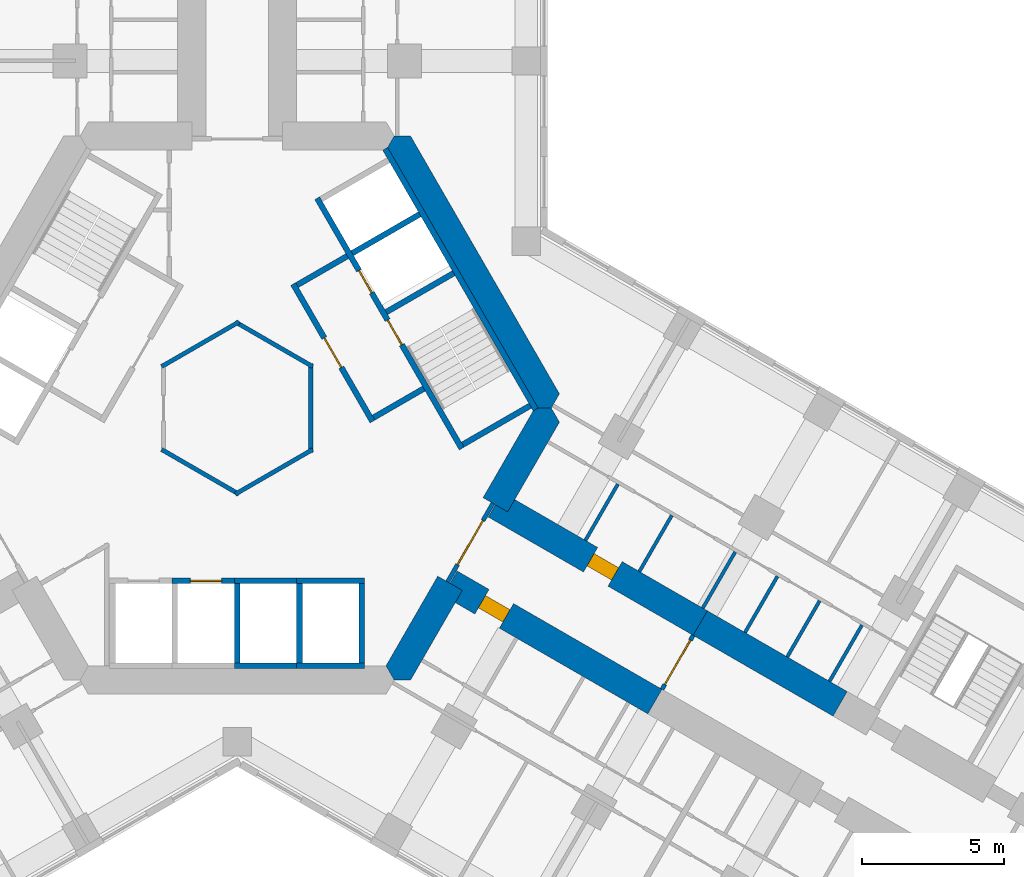
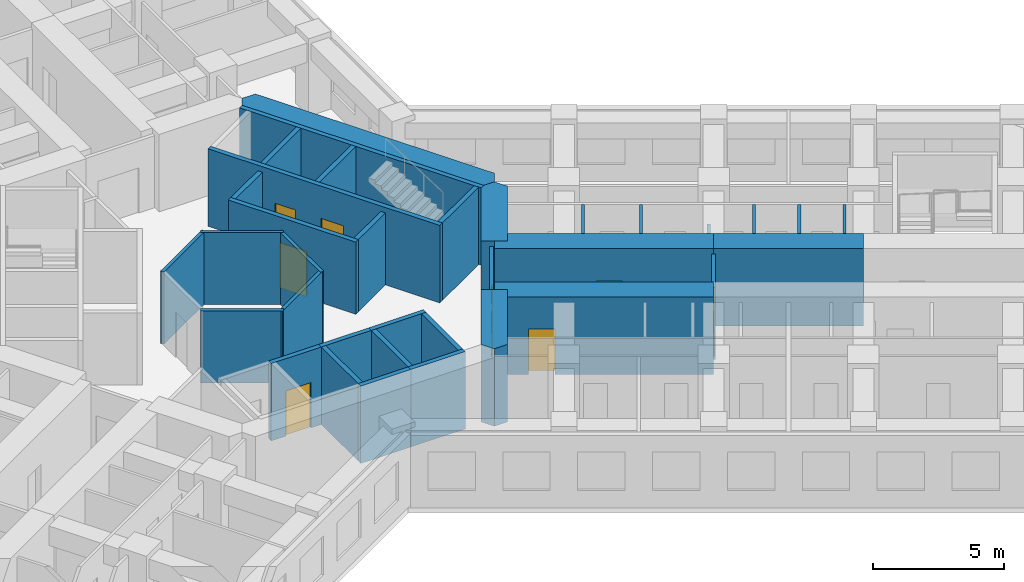
# One storey, part 15 of 21: 35 walls, 8 doors, 8 openings.
"""IFC4 building model written with IfcOpenShell, lengths in metres."""

from ifc_helpers import new_model, si_unit, direction, frame, frame_2d, origin, place, context, subcontext, project, spatial, polyline, rectangle, outline, extrude, material, layer, layer_set, type_object, element, fill, save


model = new_model("IFC4")

# Units and contexts
model_context = context("Model", 3, precision=1e-05, world=origin(), true_north=direction((0.0, 1.0)))
body_context = subcontext(model_context, "Body", "Model", "MODEL_VIEW")
ifc_project = project(units=[si_unit("LENGTHUNIT", "METRE"), si_unit("AREAUNIT", "SQUARE_METRE"), si_unit("VOLUMEUNIT", "CUBIC_METRE"), si_unit("PLANEANGLEUNIT", "RADIAN"), si_unit("MASSUNIT", "GRAM", prefix="KILO")], contexts=[model_context])

# Site, building, storey
site_placement = place(None, origin())
site = spatial("IfcSite", under=ifc_project, at=site_placement, CompositionType="ELEMENT")
building_placement = place(site_placement, origin())
building = spatial("IfcBuilding", under=site, at=building_placement, Name="Kosmar Iwan School Tower", CompositionType="ELEMENT")
storey_placement = place(building_placement, frame((0.0, 0.0, 53.800048828125)))
storey = spatial("IfcBuildingStorey", under=building, at=storey_placement, Name="L12", CompositionType="ELEMENT", Elevation=53.800048828125)

# Walls
ifc_material_1 = material(Name="Gypsum board on steel studs, fire-rated", Category="steel")
ifc_layer_1 = layer(ifc_material_1, 0.14990234375)
ifc_layer_set_1 = layer_set([ifc_layer_1], Name="Core room partition 150")
wall_type_1 = type_object("IfcWallType", Name="Core room partition 150", PredefinedType="PARTITIONING", material=ifc_layer_set_1)
for number, where, z_axis, x_axis, name in (
    (1, (2.6650390625, -1.463623046875, 0.0), (0.0, 0.0, 1.0), (-0.866023080072, -0.500004024767, 0.0), "Core room partition L12-CW4"),
    (2, (0.06494140625, -3.039794921875, 0.0), (0.0, 0.0, 1.0), (-0.866023080072, 0.500004024767, 0.0), "Core room partition L12-CW5"),
    (3, (-2.6650390625, 1.463623046875, 0.0), (0.0, 0.0, 1.0), (0.866023080072, 0.500004024767, 0.0), "Core room partition L12-CW7"),
    (4, (-0.06494140625, 3.039794921875, 0.0), (0.0, 0.0, 1.0), (0.866023080072, -0.500004024767, 0.0), "Core room partition L12-CW8"),
    (5, (2.60009765625, 1.576171875, 0.0), (0.0, 0.0, 1.0), (0.0, -1.0, 0.0), "Core room partition L12-CW9"),
):
    element("IfcWall", number, at=place(storey_placement, frame(where, z_axis=z_axis, x_axis=x_axis)), inside=storey, type_object=wall_type_1, Name=name, PredefinedType="PARTITIONING", context=body_context, shape_type="SweptSolid", body=[
        extrude(rectangle(XDim=3.15234375, YDim=0.14990234375, at=frame_2d((1.576171875, 0.0))), origin(), (0.0, 0.0, 1.0), 3.349853515625),
    ])
ifc_material_2 = material(Name="Concrete C50/60", Category="concrete")
ifc_layer_2 = layer(ifc_material_2, 1.0)
ifc_layer_set_2 = layer_set([ifc_layer_2], Name="Core wall 1000")
wall_type_2 = type_object("IfcWallType", Name="Core wall 1000", PredefinedType="SHEAR", material=ifc_layer_set_2)
wall_1_placement = place(storey_placement, origin())
element("IfcWall", 6, at=wall_1_placement, inside=storey, type_object=wall_type_2, Name="Core wall F030", PredefinedType="SHEAR", context=body_context, shape_type="SweptSolid", body=[
    extrude(outline(polyline([(10.5078125, 0.0), (11.085205078125, 0.0), (11.373779296875, 0.5), (6.119873046875, 9.60009765625), (5.54248046875, 9.60009765625), (5.25390625, 9.10009765625), (10.5078125, 0.0)])), origin(), (0.0, 0.0, 1.0), 3.599853515625),
])
wall_2_placement = place(storey_placement, origin())
element("IfcWall", 7, at=wall_2_placement, inside=storey, type_object=wall_type_2, Name="Core wall F330a", PredefinedType="SHEAR", context=body_context, shape_type="SweptSolid", body=[
    extrude(outline(polyline([(5.54248046875, -9.60009765625), (6.119873046875, -9.60009765625), (7.94677734375, -6.435546875), (7.080810546875, -5.935546875), (5.25390625, -9.10009765625), (5.54248046875, -9.60009765625)])), origin(), (0.0, 0.0, 1.0), 3.599853515625),
])
wall_3_placement = place(storey_placement, origin())
element("IfcWall", 8, at=wall_3_placement, inside=storey, type_object=wall_type_2, Name="Core wall F330b", PredefinedType="SHEAR", context=body_context, shape_type="SweptSolid", body=[
    extrude(outline(polyline([(9.546875, -3.664306640625), (11.373779296875, -0.5), (11.085205078125, 0.0), (10.5078125, 0.0), (8.680908203125, -3.164306640625), (9.546875, -3.664306640625)])), origin(), (0.0, 0.0, 1.0), 3.599853515625),
])

# Wall, opening, door
ifc_material_3 = material(Name="Concrete C50/60", Category="concrete")
ifc_layer_3 = layer(ifc_material_3, 1.0)
ifc_layer_set_3 = layer_set([ifc_layer_3], Name="Corridor buttress wall 1000")
wall_type_3 = type_object("IfcWallType", Name="Corridor buttress wall 1000", PredefinedType="SHEAR", material=ifc_layer_set_3)
wall_4_placement = place(storey_placement, frame((9.11376953125, -3.414306640625, 0.0), z_axis=(0.0, 0.0, 1.0), x_axis=(0.866026859388, -0.499997478812, 0.0)))
wall_4 = element("IfcWall", 9, at=wall_4_placement, inside=storey, type_object=wall_type_3, Name="Corridor wall CL", PredefinedType="SHEAR", context=body_context, shape_type="SweptSolid", body=[
    extrude(rectangle(XDim=8.35009765625, YDim=1.0, at=frame_2d((4.175048828125, 0.0))), origin(), (0.0, 0.0, 1.0), 3.599853515625),
])
opening_1_placement = place(wall_4_placement, frame((3.8798828125, 0.0, 0.0)))
opening_1 = element("IfcOpeningElement", 10, at=opening_1_placement, cuts=wall_4, Name="Opening D1", PredefinedType="OPENING", context=body_context, shape_type="SweptSolid", body=[
    extrude(rectangle(XDim=1.0, YDim=2.10009765625, at=frame_2d((0.5, 1.050048828125))), frame((0.0, 0.511962890625, 0.0), z_axis=(0.0, -1.0, 0.0), x_axis=(1.0, 0.0, 0.0)), (0.0, 0.0, 1.0), 1.02392578125),
])
ifc_material_4 = material(Name="Timber fire door in steel frame", Category="steel")
door_type_1 = type_object("IfcDoorType", Name="Flat entrance door 1000x2100", OperationType="SINGLE_SWING_LEFT", PredefinedType="DOOR", material=ifc_material_4)
door_1_placement = place(opening_1_placement, origin())
door_1 = element("IfcDoor", 11, at=door_1_placement, inside=storey, type_object=door_type_1, Name="Flat L12-CL1 entrance door", OperationType="SINGLE_SWING_LEFT", OverallHeight=2.10009765625, OverallWidth=1.0, PredefinedType="DOOR", context=body_context, shape_type="SweptSolid", body=[
    extrude(rectangle(XDim=1.0, YDim=2.10009765625, at=frame_2d((0.5, 1.050048828125))), frame((0.0, 0.25, 0.0), z_axis=(0.0, -1.0, 0.0), x_axis=(1.0, 0.0, 0.0)), (0.0, 0.0, 1.0), 0.5),
])
fill(opening_1, door_1)

# Wall
wall_5_placement = place(storey_placement, frame((16.34521484375, -7.58935546875, 0.0), z_axis=(0.0, 0.0, 1.0), x_axis=(0.866015111908, -0.50001782563, 0.0)))
element("IfcWall", 12, at=wall_5_placement, inside=storey, type_object=wall_type_3, Name="Corridor wall CL bay 2", PredefinedType="SHEAR", context=body_context, shape_type="SweptSolid", body=[
    extrude(rectangle(XDim=5.699951171875, YDim=1.0, at=frame_2d((2.85009765625, 0.0))), origin(), (0.0, 0.0, 1.0), 3.599853515625),
])

# Wall, opening, door
wall_6_placement = place(storey_placement, frame((7.513916015625, -6.185546875, 0.0), z_axis=(0.0, 0.0, 1.0), x_axis=(0.866019549707, -0.500010139422, 0.0)))
wall_6 = element("IfcWall", 13, at=wall_6_placement, inside=storey, type_object=wall_type_3, Name="Corridor wall CR", PredefinedType="SHEAR", context=body_context, shape_type="SweptSolid", body=[
    extrude(rectangle(XDim=8.349853515625, YDim=1.0, at=frame_2d((4.1748046875, 0.0))), origin(), (0.0, 0.0, 1.0), 3.599853515625),
])
opening_2_placement = place(wall_6_placement, frame((1.300048828125, 0.0, 0.0)))
opening_2 = element("IfcOpeningElement", 14, at=opening_2_placement, cuts=wall_6, Name="Opening D1", PredefinedType="OPENING", context=body_context, shape_type="SweptSolid", body=[
    extrude(rectangle(XDim=1.0, YDim=2.10009765625, at=frame_2d((0.5, 1.050048828125))), frame((0.0, 0.511962890625, 0.0), z_axis=(0.0, -1.0, 0.0), x_axis=(1.0, 0.0, 0.0)), (0.0, 0.0, 1.0), 1.02392578125),
])
door_2_placement = place(opening_2_placement, origin())
door_2 = element("IfcDoor", 15, at=door_2_placement, inside=storey, type_object=door_type_1, Name="Flat L12-CR1 entrance door", OperationType="SINGLE_SWING_LEFT", OverallHeight=2.10009765625, OverallWidth=1.0, PredefinedType="DOOR", context=body_context, shape_type="SweptSolid", body=[
    extrude(rectangle(XDim=1.0, YDim=2.10009765625, at=frame_2d((0.5, 1.050048828125))), frame((0.0, 0.25, 0.0), z_axis=(0.0, -1.0, 0.0), x_axis=(1.0, 0.0, 0.0)), (0.0, 0.0, 1.0), 0.5),
])
fill(opening_2, door_2)

ifc_material_5 = material(Name="Gypsum board on steel studs, fire-rated", Category="steel")
ifc_layer_4 = layer(ifc_material_5, 0.14990234375)
ifc_layer_set_4 = layer_set([ifc_layer_4], Name="Corridor end wall 150")
wall_type_4 = type_object("IfcWallType", Name="Corridor end wall 150", PredefinedType="PARTITIONING", material=ifc_layer_set_4)
wall_7_placement = place(storey_placement, frame((14.9951171875, -9.927734375, 0.0), z_axis=(0.0, 0.0, 1.0), x_axis=(0.50002983664, 0.866008176907, 0.0)))
wall_7 = element("IfcWall", 16, at=wall_7_placement, inside=storey, type_object=wall_type_4, Name="Partition L12-C-HW", PredefinedType="PARTITIONING", context=body_context, shape_type="SweptSolid", body=[
    extrude(rectangle(XDim=2.199951171875, YDim=0.14990234375, at=frame_2d((1.10009765625, 0.0))), origin(), (0.0, 0.0, 1.0), 3.349853515625),
])
opening_3_placement = place(wall_7_placement, frame((0.199951171875, 0.0, 0.0)))
opening_3 = element("IfcOpeningElement", 17, at=opening_3_placement, cuts=wall_7, Name="Opening D9", PredefinedType="OPENING", context=body_context, shape_type="SweptSolid", body=[
    extrude(rectangle(XDim=1.800048828125, YDim=2.10009765625, at=frame_2d((0.89990234375, 1.050048828125))), frame((0.0, 0.0869140625, 0.0), z_axis=(0.0, -1.0, 0.0), x_axis=(1.0, 0.0, 0.0)), (0.0, 0.0, 1.0), 0.173828125),
])
ifc_material_6 = material(Name="Steel framed glazed smoke door", Category="steel")
door_type_2 = type_object("IfcDoorType", Name="Corridor smoke door pair 1800x2100", OperationType="DOUBLE_DOOR_DOUBLE_SWING", PredefinedType="DOOR", material=ifc_material_6)
door_3_placement = place(opening_3_placement, origin())
door_3 = element("IfcDoor", 18, at=door_3_placement, inside=storey, type_object=door_type_2, Name="Entrance vestibule smoke doors L12-C", OperationType="DOUBLE_DOOR_DOUBLE_SWING", OverallHeight=2.10009765625, OverallWidth=1.800048828125, PredefinedType="DOOR", context=body_context, shape_type="SweptSolid", body=[
    extrude(rectangle(XDim=1.800048828125, YDim=2.10009765625, at=frame_2d((0.89990234375, 1.050048828125))), frame((0.0, 0.02490234375, 0.0), z_axis=(0.0, -1.0, 0.0), x_axis=(1.0, 0.0, 0.0)), (0.0, 0.0, 1.0), 0.050048828125),
])
fill(opening_3, door_3)

ifc_material_7 = material(Name="Steel framed glazed screen", Category="steel")
ifc_layer_5 = layer(ifc_material_7, 0.14990234375)
ifc_layer_set_5 = layer_set([ifc_layer_5], Name="Corridor screen wall 150")
wall_type_5 = type_object("IfcWallType", Name="Corridor screen wall 150", PredefinedType="PARTITIONING", material=ifc_layer_set_5)
wall_8_placement = place(storey_placement, frame((7.42724609375, -6.1357421875, 0.0), z_axis=(0.0, 0.0, 1.0), x_axis=(0.499995408039, 0.866028054938, 0.0)))
wall_8 = element("IfcWall", 19, at=wall_8_placement, inside=storey, type_object=wall_type_5, Name="Corridor screen C L12", PredefinedType="PARTITIONING", context=body_context, shape_type="SweptSolid", body=[
    extrude(rectangle(XDim=3.2001953125, YDim=0.14990234375, at=frame_2d((1.60009765625, 0.0))), origin(), (0.0, 0.0, 1.0), 3.349853515625),
])
opening_4_placement = place(wall_8_placement, frame((0.699951171875, 0.0, 0.0)))
opening_4 = element("IfcOpeningElement", 20, at=opening_4_placement, cuts=wall_8, Name="Opening D9", PredefinedType="OPENING", context=body_context, shape_type="SweptSolid", body=[
    extrude(rectangle(XDim=1.800048828125, YDim=2.10009765625, at=frame_2d((0.89990234375, 1.050048828125))), frame((0.0, 0.0869140625, 0.0), z_axis=(0.0, -1.0, 0.0), x_axis=(1.0, 0.0, 0.0)), (0.0, 0.0, 1.0), 0.173828125),
])
door_4_placement = place(opening_4_placement, origin())
door_4 = element("IfcDoor", 21, at=door_4_placement, inside=storey, type_object=door_type_2, Name="Corridor doors C L12", OperationType="DOUBLE_DOOR_DOUBLE_SWING", OverallHeight=2.10009765625, OverallWidth=1.800048828125, PredefinedType="DOOR", context=body_context, shape_type="SweptSolid", body=[
    extrude(rectangle(XDim=1.800048828125, YDim=2.10009765625, at=frame_2d((0.89990234375, 1.050048828125))), frame((0.0, 0.02490234375, 0.0), z_axis=(0.0, -1.0, 0.0), x_axis=(1.0, 0.0, 0.0)), (0.0, 0.0, 1.0), 0.050048828125),
])
fill(opening_4, door_4)

# Walls
ifc_material_8 = material(Name="Gypsum board on steel studs", Category="steel")
ifc_layer_6 = layer(ifc_material_8, 0.1201171875)
ifc_layer_set_6 = layer_set([ifc_layer_6], Name="Dwelling partition 120")
wall_type_6 = type_object("IfcWallType", Name="Dwelling partition 120", PredefinedType="PARTITIONING", material=ifc_layer_set_6)
for number, where, z_axis, x_axis, name in (
    (22, (12.291015625, -4.67138671875, 0.0), (0.0, 0.0, 1.0), (0.500014693593, 0.866016920268, 0.0), "Partition L12-CL1-Y1"),
    (23, (14.1962890625, -5.771240234375, 0.0), (0.0, 0.0, 1.0), (0.500014693593, 0.866016920268, 0.0), "Partition L12-CL1-Y2"),
):
    element("IfcWall", number, at=place(storey_placement, frame(where, z_axis=z_axis, x_axis=x_axis)), inside=storey, type_object=wall_type_6, Name=name, PredefinedType="PARTITIONING", context=body_context, shape_type="SweptSolid", body=[
        extrude(rectangle(XDim=2.2900390625, YDim=0.1201171875, at=frame_2d((1.14501953125, 0.0))), origin(), (0.0, 0.0, 1.0), 3.349853515625),
    ])
wall_9_placement = place(storey_placement, frame((16.432861328125, -7.062744140625, 0.0), z_axis=(0.0, 0.0, 1.0), x_axis=(0.500014693593, 0.866016920268, 0.0)))
element("IfcWall", 24, at=wall_9_placement, inside=storey, type_object=wall_type_6, Name="Partition L12-CL1-Y3", PredefinedType="PARTITIONING", context=body_context, shape_type="SweptSolid", body=[
    extrude(rectangle(XDim=2.2900390625, YDim=0.1201171875, at=frame_2d((1.14501953125, 0.0))), origin(), (0.0, 0.0, 1.0), 2.449951171875),
])
for number, where, z_axis, x_axis, name in (
    (25, (17.924072265625, -7.923583984375, 0.0), (0.0, 0.0, 1.0), (0.500014693593, 0.866016920268, 0.0), "Partition L12-CL1-Y4"),
    (26, (19.415283203125, -8.784423828125, 0.0), (0.0, 0.0, 1.0), (0.500014693593, 0.866016920268, 0.0), "Partition L12-CL1-Y5"),
):
    element("IfcWall", number, at=place(storey_placement, frame(where, z_axis=z_axis, x_axis=x_axis)), inside=storey, type_object=wall_type_6, Name=name, PredefinedType="PARTITIONING", context=body_context, shape_type="SweptSolid", body=[
        extrude(rectangle(XDim=2.2900390625, YDim=0.1201171875, at=frame_2d((1.14501953125, 0.0))), origin(), (0.0, 0.0, 1.0), 3.349853515625),
    ])
wall_10_placement = place(storey_placement, frame((20.906494140625, -9.6455078125, 0.0), z_axis=(0.0, 0.0, 1.0), x_axis=(0.499968531483, 0.866043571379, 0.0)))
element("IfcWall", 27, at=wall_10_placement, inside=storey, type_object=wall_type_6, Name="Partition L12-CL1-Y6", PredefinedType="PARTITIONING", context=body_context, shape_type="SweptSolid", body=[
    extrude(rectangle(XDim=2.290283203125, YDim=0.1201171875, at=frame_2d((1.14501953125, 0.0))), origin(), (0.0, 0.0, 1.0), 3.349853515625),
])

# Wall, opening, door
ifc_material_9 = material(Name="Concrete block masonry", Category="masonry")
ifc_layer_7 = layer(ifc_material_9, 0.199951171875)
ifc_layer_set_7 = layer_set([ifc_layer_7], Name="Fire lobby wall 200")
wall_type_7 = type_object("IfcWallType", Name="Fire lobby wall 200", PredefinedType="PARTITIONING", material=ifc_layer_set_7)
wall_11_placement = place(storey_placement, frame((4.777587890625, -0.474853515625, 0.0), z_axis=(0.0, 0.0, 1.0), x_axis=(-0.500016814911, 0.866015695474, 0.0)))
wall_11 = element("IfcWall", 28, at=wall_11_placement, inside=storey, type_object=wall_type_7, Name="Firefighting lobby wall ST1", PredefinedType="PARTITIONING", context=body_context, shape_type="SweptSolid", body=[
    extrude(rectangle(XDim=5.599853515625, YDim=0.199951171875, at=frame_2d((2.7998046875, 0.0))), origin(), (0.0, 0.0, 1.0), 3.349853515625),
])
opening_5_placement = place(wall_11_placement, frame((2.199951171875, 0.0, 0.0)))
opening_5 = element("IfcOpeningElement", 29, at=opening_5_placement, cuts=wall_11, Name="Opening D7", PredefinedType="OPENING", context=body_context, shape_type="SweptSolid", body=[
    extrude(rectangle(XDim=1.199951171875, YDim=2.10009765625, at=frame_2d((0.60009765625, 1.050048828125))), frame((0.0, 0.112060546875, 0.0), z_axis=(0.0, -1.0, 0.0), x_axis=(1.0, 0.0, 0.0)), (0.0, 0.0, 1.0), 0.223876953125),
])
ifc_material_10 = material(Name="Steel fire door", Category="steel")
door_type_3 = type_object("IfcDoorType", Name="Fire lobby door 1200x2100", OperationType="SINGLE_SWING_LEFT", PredefinedType="DOOR", material=ifc_material_10)
door_5_placement = place(opening_5_placement, frame((1.199951171875, 0.0, 0.0), z_axis=(0.0, 0.0, 1.0), x_axis=(-1.0, 0.0, 0.0)))
door_5 = element("IfcDoor", 30, at=door_5_placement, inside=storey, type_object=door_type_3, Name="Firefighting lobby door ST1 L12", OperationType="SINGLE_SWING_LEFT", OverallHeight=2.10009765625, OverallWidth=1.199951171875, PredefinedType="DOOR", context=body_context, shape_type="SweptSolid", body=[
    extrude(rectangle(XDim=1.199951171875, YDim=2.10009765625, at=frame_2d((0.60009765625, 1.050048828125))), frame((0.0, 0.02490234375, 0.0), z_axis=(0.0, -1.0, 0.0), x_axis=(1.0, 0.0, 0.0)), (0.0, 0.0, 1.0), 0.050048828125),
])
fill(opening_5, door_5)

# Walls
wall_12_placement = place(storey_placement, frame((4.814208984375, -0.33837890625, 0.0), z_axis=(0.0, 0.0, 1.0), x_axis=(0.865969381856, 0.500097020274, 0.0)))
element("IfcWall", 31, at=wall_12_placement, inside=storey, type_object=wall_type_7, Name="Firefighting lobby wall ST1", PredefinedType="PARTITIONING", context=body_context, shape_type="SweptSolid", body=[
    extrude(rectangle(XDim=2.0498046875, YDim=0.199951171875, at=frame_2d((1.02490234375, 0.0))), origin(), (0.0, 0.0, 1.0), 3.349853515625),
])
wall_13_placement = place(storey_placement, frame((2.114013671875, 4.33837890625, 0.0), z_axis=(0.0, 0.0, 1.0), x_axis=(0.866050731258, 0.499956128963, 0.0)))
element("IfcWall", 32, at=wall_13_placement, inside=storey, type_object=wall_type_7, Name="Firefighting lobby wall ST1", PredefinedType="PARTITIONING", context=body_context, shape_type="SweptSolid", body=[
    extrude(rectangle(XDim=2.050048828125, YDim=0.199951171875, at=frame_2d((1.02490234375, 0.0))), origin(), (0.0, 0.0, 1.0), 3.349853515625),
])

# Wall, openings, doors
ifc_material_11 = material(Name="Concrete C50/60", Category="concrete")
ifc_layer_8 = layer(ifc_material_11, 0.199951171875)
ifc_layer_set_8 = layer_set([ifc_layer_8], Name="Lift shaft wall 200")
wall_type_8 = type_object("IfcWallType", Name="Lift shaft wall 200", PredefinedType="SHEAR", material=ifc_layer_set_8)
wall_14_placement = place(storey_placement, frame((7.926025390625, -1.42822265625, 0.0), z_axis=(0.0, 0.0, 1.0), x_axis=(-0.499998023675, 0.866026544813, 0.0)))
wall_14 = element("IfcWall", 33, at=wall_14_placement, inside=storey, type_object=wall_type_8, Name="Lift and stair front wall AC", PredefinedType="SHEAR", context=body_context, shape_type="SweptSolid", body=[
    extrude(rectangle(XDim=10.19970703125, YDim=0.199951171875, at=frame_2d((5.099853515625, 0.0))), origin(), (0.0, 0.0, 1.0), 3.599853515625),
])
opening_6_placement = place(wall_14_placement, frame((6.35009765625, 0.0, 0.0)))
opening_6 = element("IfcOpeningElement", 34, at=opening_6_placement, cuts=wall_14, Name="Opening LD2", PredefinedType="OPENING", context=body_context, shape_type="SweptSolid", body=[
    extrude(rectangle(XDim=0.89990234375, YDim=2.10009765625, at=frame_2d((0.449951171875, 1.050048828125))), frame((0.0, 0.112060546875, 0.0), z_axis=(0.0, -1.0, 0.0), x_axis=(1.0, 0.0, 0.0)), (0.0, 0.0, 1.0), 0.223876953125),
])
opening_7_placement = place(wall_14_placement, frame((4.22998046875, 0.0, 0.0)))
opening_7 = element("IfcOpeningElement", 35, at=opening_7_placement, cuts=wall_14, Name="Opening D6", PredefinedType="OPENING", context=body_context, shape_type="SweptSolid", body=[
    extrude(rectangle(XDim=1.0, YDim=2.10009765625, at=frame_2d((0.5, 1.050048828125))), frame((0.0, 0.112060546875, 0.0), z_axis=(0.0, -1.0, 0.0), x_axis=(1.0, 0.0, 0.0)), (0.0, 0.0, 1.0), 0.223876953125),
])
ifc_material_12 = material(Name="Stainless steel sliding lift door", Category="steel")
door_type_4 = type_object("IfcDoorType", Name="Firefighting lift landing door 900x2100", OperationType="SLIDING_TO_LEFT", PredefinedType="DOOR", material=ifc_material_12)
door_6_placement = place(opening_6_placement, origin())
door_6 = element("IfcDoor", 36, at=door_6_placement, inside=storey, type_object=door_type_4, Name="Lift FF1 landing door L12", OperationType="SLIDING_TO_LEFT", OverallHeight=2.10009765625, OverallWidth=0.89990234375, PredefinedType="DOOR", context=body_context, shape_type="SweptSolid", body=[
    extrude(rectangle(XDim=0.89990234375, YDim=2.10009765625, at=frame_2d((0.449951171875, 1.050048828125))), frame((0.0, 0.02490234375, 0.0), z_axis=(0.0, -1.0, 0.0), x_axis=(1.0, 0.0, 0.0)), (0.0, 0.0, 1.0), 0.050048828125),
])
fill(opening_6, door_6)
ifc_material_13 = material(Name="Steel fire door", Category="steel")
door_type_5 = type_object("IfcDoorType", Name="Stair door 1000x2100", OperationType="SINGLE_SWING_LEFT", PredefinedType="DOOR", material=ifc_material_13)
door_7_placement = place(opening_7_placement, origin())
door_7 = element("IfcDoor", 37, at=door_7_placement, inside=storey, type_object=door_type_5, Name="Stair ST1 door L12", OperationType="SINGLE_SWING_LEFT", OverallHeight=2.10009765625, OverallWidth=1.0, PredefinedType="DOOR", context=body_context, shape_type="SweptSolid", body=[
    extrude(rectangle(XDim=1.0, YDim=2.10009765625, at=frame_2d((0.5, 1.050048828125))), frame((0.0, 0.02490234375, 0.0), z_axis=(0.0, -1.0, 0.0), x_axis=(1.0, 0.0, 0.0)), (0.0, 0.0, 1.0), 0.050048828125),
])
fill(opening_7, door_7)

# Walls
wall_15_placement = place(storey_placement, frame((10.53662109375, -0.050048828125, 0.0), z_axis=(0.0, 0.0, 1.0), x_axis=(-0.499994998079, 0.866028291626, 0.0)))
element("IfcWall", 38, at=wall_15_placement, inside=storey, type_object=wall_type_8, Name="Lift and stair back wall AC", PredefinedType="SHEAR", context=body_context, shape_type="SweptSolid", body=[
    extrude(rectangle(XDim=10.623046875, YDim=0.199951171875, at=frame_2d((5.3115234375, 0.0))), origin(), (0.0, 0.0, 1.0), 3.599853515625),
])
wall_16_placement = place(storey_placement, frame((4.062744140625, 5.46337890625, 0.0), z_axis=(0.0, 0.0, 1.0), x_axis=(0.866027397988, 0.499996545922, 0.0)))
element("IfcWall", 39, at=wall_16_placement, inside=storey, type_object=wall_type_8, Name="Lift shaft wall AC 1", PredefinedType="SHEAR", context=body_context, shape_type="SweptSolid", body=[
    extrude(rectangle(XDim=2.75, YDim=0.199951171875, at=frame_2d((1.375, 0.0))), origin(), (0.0, 0.0, 1.0), 3.599853515625),
])

# Wall, opening, door
wall_17_placement = place(storey_placement, frame((-2.300048828125, -6.10009765625, 0.0), z_axis=(0.0, 0.0, 1.0), x_axis=(1.0, 0.0, 0.0)))
wall_17 = element("IfcWall", 40, at=wall_17_placement, inside=storey, type_object=wall_type_8, Name="Lift and stair front wall BC", PredefinedType="SHEAR", context=body_context, shape_type="SweptSolid", body=[
    extrude(rectangle(XDim=2.199951171875, YDim=0.199951171875, at=frame_2d((1.10009765625, 0.0))), origin(), (0.0, 0.0, 1.0), 3.599853515625),
])
opening_8_placement = place(wall_17_placement, frame((0.64990234375, 0.0, 0.0)))
opening_8 = element("IfcOpeningElement", 41, at=opening_8_placement, cuts=wall_17, Name="Opening LD1", PredefinedType="OPENING", context=body_context, shape_type="SweptSolid", body=[
    extrude(rectangle(XDim=1.10009765625, YDim=2.10009765625, at=frame_2d((0.550048828125, 1.050048828125))), frame((0.0, 0.112060546875, 0.0), z_axis=(0.0, -1.0, 0.0), x_axis=(1.0, 0.0, 0.0)), (0.0, 0.0, 1.0), 0.223876953125),
])
ifc_material_14 = material(Name="Stainless steel sliding lift door", Category="steel")
door_type_6 = type_object("IfcDoorType", Name="Lift landing door 1100x2100", OperationType="SLIDING_TO_LEFT", PredefinedType="DOOR", material=ifc_material_14)
door_8_placement = place(opening_8_placement, origin())
door_8 = element("IfcDoor", 42, at=door_8_placement, inside=storey, type_object=door_type_6, Name="Lift PL2 landing door L12", OperationType="SLIDING_TO_LEFT", OverallHeight=2.10009765625, OverallWidth=1.10009765625, PredefinedType="DOOR", context=body_context, shape_type="SweptSolid", body=[
    extrude(rectangle(XDim=1.10009765625, YDim=2.10009765625, at=frame_2d((0.550048828125, 1.050048828125))), frame((0.0, 0.02490234375, 0.0), z_axis=(0.0, -1.0, 0.0), x_axis=(1.0, 0.0, 0.0)), (0.0, 0.0, 1.0), 0.050048828125),
])
fill(opening_8, door_8)

# Walls
for number, where, z_axis, x_axis, name in (
    (43, (-0.10009765625, -6.10009765625, 0.0), (0.0, 0.0, 1.0), (1.0, 0.0, 0.0), "Lift and stair front wall BC"),
    (44, (-0.10009765625, -9.10009765625, 0.0), (0.0, 0.0, 1.0), (1.0, 0.0, 0.0), "Lift and stair back wall BC"),
):
    element("IfcWall", number, at=place(storey_placement, frame(where, z_axis=z_axis, x_axis=x_axis)), inside=storey, type_object=wall_type_8, Name=name, PredefinedType="SHEAR", context=body_context, shape_type="SweptSolid", body=[
        extrude(rectangle(XDim=2.2001953125, YDim=0.199951171875, at=frame_2d((1.10009765625, 0.0))), origin(), (0.0, 0.0, 1.0), 3.599853515625),
    ])
for number, where, z_axis, x_axis, name in (
    (45, (2.10009765625, -6.10009765625, 0.0), (0.0, 0.0, 1.0), (1.0, 0.0, 0.0), "Lift and stair front wall BC"),
    (46, (2.10009765625, -9.10009765625, 0.0), (0.0, 0.0, 1.0), (1.0, 0.0, 0.0), "Lift and stair back wall BC"),
):
    element("IfcWall", number, at=place(storey_placement, frame(where, z_axis=z_axis, x_axis=x_axis)), inside=storey, type_object=wall_type_8, Name=name, PredefinedType="SHEAR", context=body_context, shape_type="SweptSolid", body=[
        extrude(rectangle(XDim=2.39990234375, YDim=0.199951171875, at=frame_2d((1.199951171875, 0.0))), origin(), (0.0, 0.0, 1.0), 3.599853515625),
    ])
for number, where, z_axis, x_axis, name in (
    (47, (0.0, -6.199951171875, 0.0), (0.0, 0.0, 1.0), (0.0, -1.0, 0.0), "Lift shaft wall BC 2"),
    (48, (2.199951171875, -6.199951171875, 0.0), (0.0, 0.0, 1.0), (0.0, -1.0, 0.0), "Lift shaft wall BC 3"),
    (49, (4.39990234375, -6.199951171875, 0.0), (0.0, 0.0, 1.0), (0.0, -1.0, 0.0), "Lift shaft wall BC 4"),
):
    element("IfcWall", number, at=place(storey_placement, frame(where, z_axis=z_axis, x_axis=x_axis)), inside=storey, type_object=wall_type_8, Name=name, PredefinedType="SHEAR", context=body_context, shape_type="SweptSolid", body=[
        extrude(rectangle(XDim=2.800048828125, YDim=0.199951171875, at=frame_2d((1.39990234375, 0.0))), origin(), (0.0, 0.0, 1.0), 3.599853515625),
    ])
ifc_material_15 = material(Name="Concrete C50/60", Category="concrete")
ifc_layer_9 = layer(ifc_material_15, 0.199951171875)
ifc_layer_set_9 = layer_set([ifc_layer_9], Name="Stair enclosure wall 200")
wall_type_9 = type_object("IfcWallType", Name="Stair enclosure wall 200", PredefinedType="SHEAR", material=ifc_layer_set_9)
for number, where, z_axis, x_axis, name in (
    (50, (7.962646484375, -1.291748046875, 0.0), (0.0, 0.0, 1.0), (0.866027397988, 0.499996545922, 0.0), "Stair ST1 wall"),
    (51, (5.2626953125, 3.384765625, 0.0), (0.0, 0.0, 1.0), (0.866027397988, 0.499996545922, 0.0), "Stair ST1 wall"),
):
    element("IfcWall", number, at=place(storey_placement, frame(where, z_axis=z_axis, x_axis=x_axis)), inside=storey, type_object=wall_type_9, Name=name, PredefinedType="SHEAR", context=body_context, shape_type="SweptSolid", body=[
        extrude(rectangle(XDim=2.75, YDim=0.199951171875, at=frame_2d((1.375, 0.0))), origin(), (0.0, 0.0, 1.0), 3.599853515625),
    ])

save(model, "model.ifc")
